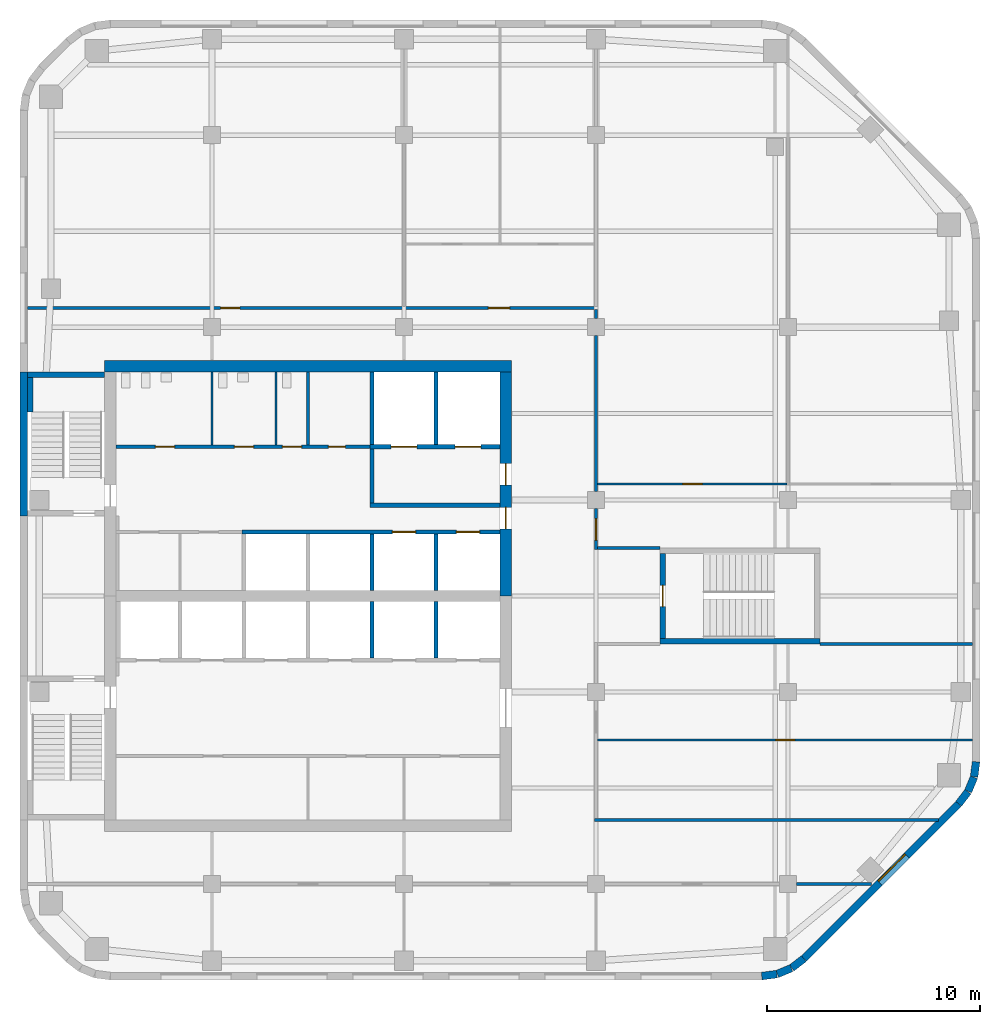
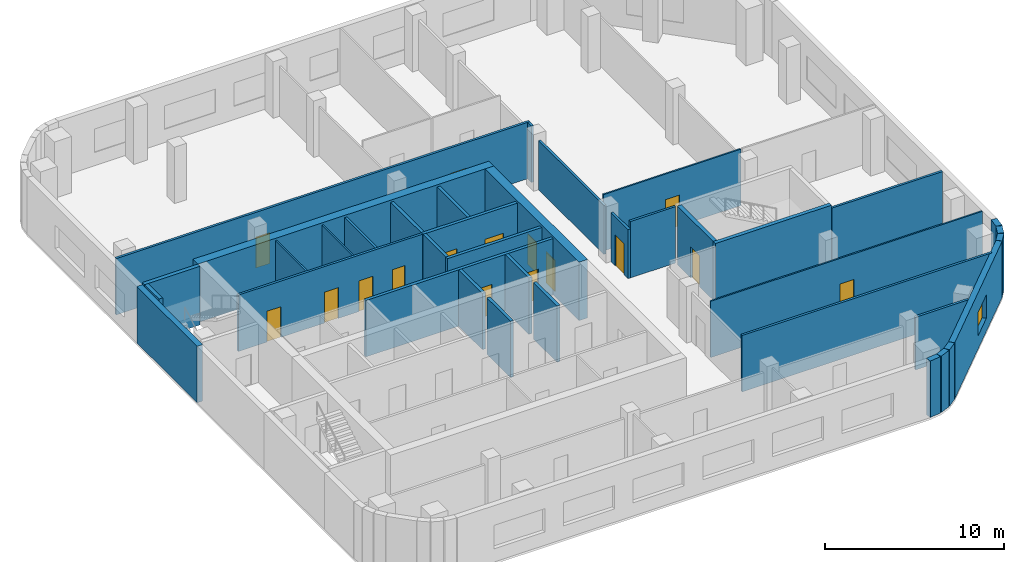
# One storey, part 4 of 8: 38 walls, 16 doors, 1 window, 17 openings.
"""IFC4 building model written with IfcOpenShell, lengths in metres."""

from ifc_helpers import new_model, si_unit, direction, frame, frame_2d, origin, place, context, subcontext, project, spatial, rectangle, extrude, material, layer, layer_set, type_object, element, fill, save


model = new_model("IFC4")

# Units and contexts
model_context = context("Model", 3, precision=1e-05, world=origin(), true_north=direction((0.0, 1.0)))
body_context = subcontext(model_context, "Body", "Model", "MODEL_VIEW")
ifc_project = project(units=[si_unit("LENGTHUNIT", "METRE"), si_unit("AREAUNIT", "SQUARE_METRE"), si_unit("VOLUMEUNIT", "CUBIC_METRE"), si_unit("PLANEANGLEUNIT", "RADIAN"), si_unit("MASSUNIT", "GRAM", prefix="KILO")], contexts=[model_context])

# Site, building, storey
site_placement = place(None, origin())
site = spatial("IfcSite", under=ifc_project, at=site_placement, CompositionType="ELEMENT")
building_placement = place(site_placement, origin())
building = spatial("IfcBuilding", under=site, at=building_placement, Name="Cinnabar Reach Civic Tower", CompositionType="ELEMENT")
storey_placement = place(building_placement, frame((0.0, 0.0, 210.0)))
storey = spatial("IfcBuildingStorey", under=building, at=storey_placement, Name="L50", CompositionType="ELEMENT", Elevation=210.0)

# Walls
ifc_material_1 = material(Name="Facing brick with insulated backing", Category="masonry")
ifc_layer_1 = layer(ifc_material_1, 0.36)
ifc_layer_set_1 = layer_set([ifc_layer_1], Name="Brick corner wall")
wall_type_1 = type_object("IfcWallType", Name="Brick corner wall", PredefinedType="STANDARD", material=ifc_layer_set_1)
for number, where, z_axis, x_axis, name in (
    (1, (34.7686, 13.683, 0.0), (0.0, 0.0, 1.0), (0.99144092581, 0.13055608231, 0.0), "Brick corner wall"),
    (2, (35.4973, 13.7819, 0.0), (0.0, 0.0, 1.0), (0.923871547278, 0.382702709855, 0.0), "Brick corner wall"),
):
    element("IfcWall", number, at=place(storey_placement, frame(where, z_axis=z_axis, x_axis=x_axis)), inside=storey, type_object=wall_type_1, Name=name, PredefinedType="STANDARD", context=body_context, shape_type="SweptSolid", body=[
        extrude(rectangle(XDim=0.7131, YDim=0.36, at=frame_2d((0.3565, 0.0))), origin(), (0.0, 0.0, 1.0), 3.85),
    ])
for number, where, z_axis, x_axis, name in (
    (3, (36.1755, 14.066, 0.0), (0.0, 0.0, 1.0), (0.793321924995, 0.608802368033, 0.0), "Brick corner wall"),
    (4, (43.9998, 21.7587, 0.0), (0.0, 0.0, 1.0), (0.608802368033, 0.793321924995, 0.0), "Brick corner wall"),
):
    element("IfcWall", number, at=place(storey_placement, frame(where, z_axis=z_axis, x_axis=x_axis)), inside=storey, type_object=wall_type_1, Name=name, PredefinedType="STANDARD", context=body_context, shape_type="SweptSolid", body=[
        extrude(rectangle(XDim=0.7132, YDim=0.36, at=frame_2d((0.3566, 0.0))), origin(), (0.0, 0.0, 1.0), 3.85),
    ])
for number, where, z_axis, x_axis, name in (
    (5, (44.4452, 22.3439, 0.0), (0.0, 0.0, 1.0), (0.382702709855, 0.923871547278, 0.0), "Brick corner wall"),
    (6, (44.7239, 23.0244, 0.0), (0.0, 0.0, 1.0), (0.13055608231, 0.99144092581, 0.0), "Brick corner wall"),
):
    element("IfcWall", number, at=place(storey_placement, frame(where, z_axis=z_axis, x_axis=x_axis)), inside=storey, type_object=wall_type_1, Name=name, PredefinedType="STANDARD", context=body_context, shape_type="SweptSolid", body=[
        extrude(rectangle(XDim=0.7131, YDim=0.36, at=frame_2d((0.3565, 0.0))), origin(), (0.0, 0.0, 1.0), 3.85),
    ])

# Wall, opening, window
ifc_layer_2 = layer(ifc_material_1, 0.36)
ifc_layer_set_2 = layer_set([ifc_layer_2], Name="Brick pier and spandrel wall")
wall_type_2 = type_object("IfcWallType", Name="Brick pier and spandrel wall", PredefinedType="STANDARD", material=ifc_layer_set_2)
wall_1_placement = place(storey_placement, frame((36.7514, 14.506, 0.0), z_axis=(0.0, 0.0, 1.0), x_axis=(0.707106781187, 0.707106781187, 0.0)))
wall_1 = element("IfcWall", 7, at=wall_1_placement, inside=storey, type_object=wall_type_2, Name="Brick facade wall", PredefinedType="STANDARD", context=body_context, shape_type="SweptSolid", body=[
    extrude(rectangle(XDim=10.2426, YDim=0.36, at=frame_2d((5.1213, 0.0))), origin(), (0.0, 0.0, 1.0), 3.85),
])
opening_1_placement = place(wall_1_placement, frame((5.0213, 0.0, 0.9)))
opening_1 = element("IfcOpeningElement", 8, at=opening_1_placement, cuts=wall_1, Name="Opening W2026", PredefinedType="OPENING", context=body_context, shape_type="SweptSolid", body=[
    extrude(rectangle(XDim=1.8, YDim=1.6, at=frame_2d((0.9, 0.8))), frame((0.0, 0.19, 0.0), z_axis=(0.0, -1.0, 0.0), x_axis=(1.0, 0.0, 0.0)), (0.0, 0.0, 1.0), 0.38),
])
ifc_material_2 = material(Name="Clear double glazing in aluminium frame", Category="aluminium")
window_type = type_object("IfcWindowType", Name="Deep-set window D", PartitioningType="SINGLE_PANEL", PredefinedType="WINDOW", material=ifc_material_2)
window_placement = place(opening_1_placement, origin())
window = element("IfcWindow", 9, at=window_placement, inside=storey, type_object=window_type, Name="Window southeast face", OverallHeight=1.6, OverallWidth=1.8, PartitioningType="SINGLE_PANEL", PredefinedType="WINDOW", context=body_context, shape_type="SweptSolid", body=[
    extrude(rectangle(XDim=1.8, YDim=1.6, at=frame_2d((0.9, 0.8))), frame((0.0, 0.13, 0.0), z_axis=(0.0, -1.0, 0.0), x_axis=(1.0, 0.0, 0.0)), (0.0, 0.0, 1.0), 0.06),
])
fill(opening_1, window)

# Walls
wall_2_placement = place(storey_placement, frame((0.18, 42.0, 0.0), z_axis=(0.0, 0.0, 1.0), x_axis=(0.0, -1.0, 0.0)))
element("IfcWall", 10, at=wall_2_placement, inside=storey, type_object=wall_type_2, Name="Brick facade wall", PredefinedType="STANDARD", context=body_context, shape_type="SweptSolid", body=[
    extrude(rectangle(XDim=6.75, YDim=0.36, at=frame_2d((3.375, 0.0))), origin(), (0.0, 0.0, 1.0), 3.85),
])
ifc_material_3 = material(Name="Concrete C60", Category="concrete")
ifc_layer_3 = layer(ifc_material_3, 0.55)
ifc_layer_set_3 = layer_set([ifc_layer_3], Name="Core wall 550 EI 180")
wall_type_3 = type_object("IfcWallType", Name="Core wall 550 EI 180", PredefinedType="SOLIDWALL", material=ifc_layer_set_3)
wall_3_placement = place(storey_placement, frame((23.05, 42.275, 0.0), z_axis=(0.0, 0.0, 1.0), x_axis=(-1.0, 0.0, 0.0)))
element("IfcWall", 11, at=wall_3_placement, inside=storey, type_object=wall_type_3, Name="Core wall T1 L50 N", PredefinedType="SOLIDWALL", context=body_context, shape_type="SweptSolid", body=[
    extrude(rectangle(XDim=19.1, YDim=0.55, at=frame_2d((9.55, 0.0))), origin(), (0.0, 0.0, 1.0), 4.0),
])

# Wall, openings, doors
wall_4_placement = place(storey_placement, frame((22.775, 31.5, 0.0), z_axis=(0.0, 0.0, 1.0), x_axis=(0.0, 1.0, 0.0)))
wall_4 = element("IfcWall", 12, at=wall_4_placement, inside=storey, type_object=wall_type_3, Name="Core wall T1 L50 E2", PredefinedType="SOLIDWALL", context=body_context, shape_type="SweptSolid", body=[
    extrude(rectangle(XDim=10.5, YDim=0.55, at=frame_2d((5.25, 0.0))), origin(), (0.0, 0.0, 1.0), 4.0),
])
opening_2_placement = place(wall_4_placement, frame((3.15, 0.0, 0.0)))
opening_2 = element("IfcOpeningElement", 13, at=opening_2_placement, cuts=wall_4, Name="Opening D5047", PredefinedType="OPENING", context=body_context, shape_type="SweptSolid", body=[
    extrude(rectangle(XDim=1.0, YDim=2.1, at=frame_2d((0.5, 1.05))), frame((0.0, 0.285, 0.0), z_axis=(0.0, -1.0, 0.0), x_axis=(1.0, 0.0, 0.0)), (0.0, 0.0, 1.0), 0.57),
])
opening_3_placement = place(wall_4_placement, frame((5.2, 0.0, 0.0)))
opening_3 = element("IfcOpeningElement", 14, at=opening_3_placement, cuts=wall_4, Name="Opening D5048", PredefinedType="OPENING", context=body_context, shape_type="SweptSolid", body=[
    extrude(rectangle(XDim=1.0, YDim=2.1, at=frame_2d((0.5, 1.05))), frame((0.0, 0.285, 0.0), z_axis=(0.0, -1.0, 0.0), x_axis=(1.0, 0.0, 0.0)), (0.0, 0.0, 1.0), 0.57),
])
ifc_material_4 = material(Name="Timber door leaf in steel frame", Category="steel")
door_type_1 = type_object("IfcDoorType", Name="Firefighting lobby door 1000 x 2100 T1", OperationType="SINGLE_SWING_LEFT", PredefinedType="DOOR", material=ifc_material_4)
door_1_placement = place(opening_3_placement, origin())
door_1 = element("IfcDoor", 15, at=door_1_placement, inside=storey, type_object=door_type_1, Name="Door D5048", OperationType="SINGLE_SWING_RIGHT", OverallHeight=2.1, OverallWidth=1.0, PredefinedType="DOOR", context=body_context, shape_type="SweptSolid", body=[
    extrude(rectangle(XDim=1.0, YDim=2.1, at=frame_2d((0.5, 1.05))), frame((0.0, 0.025, 0.0), z_axis=(0.0, -1.0, 0.0), x_axis=(1.0, 0.0, 0.0)), (0.0, 0.0, 1.0), 0.05),
])
fill(opening_3, door_1)
door_type_2 = type_object("IfcDoorType", Name="Single swing door 1000 x 2100 T1", OperationType="SINGLE_SWING_LEFT", PredefinedType="DOOR", material=ifc_material_4)
door_2_placement = place(opening_2_placement, origin())
door_2 = element("IfcDoor", 16, at=door_2_placement, inside=storey, type_object=door_type_2, Name="Door D5047", OperationType="SINGLE_SWING_RIGHT", OverallHeight=2.1, OverallWidth=1.0, PredefinedType="DOOR", context=body_context, shape_type="SweptSolid", body=[
    extrude(rectangle(XDim=1.0, YDim=2.1, at=frame_2d((0.5, 1.05))), frame((0.0, 0.025, 0.0), z_axis=(0.0, -1.0, 0.0), x_axis=(1.0, 0.0, 0.0)), (0.0, 0.0, 1.0), 0.05),
])
fill(opening_2, door_2)

# Wall
ifc_material_5 = material(Name="Gypsum board on steel studs, double layer", Category="steel")
ifc_layer_4 = layer(ifc_material_5, 0.15)
ifc_layer_set_4 = layer_set([ifc_layer_4], Name="Corridor wall 150 T1")
wall_type_4 = type_object("IfcWallType", Name="Corridor wall 150 T1", PredefinedType="PARTITIONING", material=ifc_layer_set_4)
wall_5_placement = place(storey_placement, frame((36.4, 18.0, 0.0), z_axis=(0.0, 0.0, 1.0), x_axis=(1.0, 0.0, 0.0)))
element("IfcWall", 17, at=wall_5_placement, inside=storey, type_object=wall_type_4, Name="Corridor wall 18", PredefinedType="PARTITIONING", context=body_context, shape_type="SweptSolid", body=[
    extrude(rectangle(XDim=3.516, YDim=0.15, at=frame_2d((1.758, 0.0))), origin(), (0.0, 0.0, 1.0), 3.602),
])

# Wall, openings, doors
wall_6_placement = place(storey_placement, frame((0.36, 45.0, 0.0), z_axis=(0.0, 0.0, 1.0), x_axis=(1.0, 0.0, 0.0)))
wall_6 = element("IfcWall", 18, at=wall_6_placement, inside=storey, type_object=wall_type_4, Name="Corridor wall 23", PredefinedType="PARTITIONING", context=body_context, shape_type="SweptSolid", body=[
    extrude(rectangle(XDim=26.715, YDim=0.15, at=frame_2d((13.3575, 0.0))), origin(), (0.0, 0.0, 1.0), 3.85),
])
opening_4_placement = place(wall_6_placement, frame((9.05, 0.0, 0.0)))
opening_4 = element("IfcOpeningElement", 19, at=opening_4_placement, cuts=wall_6, Name="Opening D5067", PredefinedType="OPENING", context=body_context, shape_type="SweptSolid", body=[
    extrude(rectangle(XDim=0.9, YDim=2.1, at=frame_2d((0.45, 1.05))), frame((0.0, 0.085, 0.0), z_axis=(0.0, -1.0, 0.0), x_axis=(1.0, 0.0, 0.0)), (0.0, 0.0, 1.0), 0.17),
])
opening_5_placement = place(wall_6_placement, frame((21.59, 0.0, 0.0)))
opening_5 = element("IfcOpeningElement", 20, at=opening_5_placement, cuts=wall_6, Name="Opening D5068", PredefinedType="OPENING", context=body_context, shape_type="SweptSolid", body=[
    extrude(rectangle(XDim=1.0, YDim=2.1, at=frame_2d((0.5, 1.05))), frame((0.0, 0.085, 0.0), z_axis=(0.0, -1.0, 0.0), x_axis=(1.0, 0.0, 0.0)), (0.0, 0.0, 1.0), 0.17),
])
door_type_3 = type_object("IfcDoorType", Name="Single swing door 900 x 2100 corridor T1", OperationType="SINGLE_SWING_LEFT", PredefinedType="DOOR", material=ifc_material_4)
door_3_placement = place(opening_4_placement, origin())
door_3 = element("IfcDoor", 21, at=door_3_placement, inside=storey, type_object=door_type_3, Name="Door D5067", OperationType="SINGLE_SWING_RIGHT", OverallHeight=2.1, OverallWidth=0.9, PredefinedType="DOOR", context=body_context, shape_type="SweptSolid", body=[
    extrude(rectangle(XDim=0.9, YDim=2.1, at=frame_2d((0.45, 1.05))), frame((0.0, 0.025, 0.0), z_axis=(0.0, -1.0, 0.0), x_axis=(1.0, 0.0, 0.0)), (0.0, 0.0, 1.0), 0.05),
])
fill(opening_4, door_3)
door_type_4 = type_object("IfcDoorType", Name="Tenancy entrance door 1000 x 2100 T1", OperationType="SINGLE_SWING_LEFT", PredefinedType="DOOR", material=ifc_material_4)
door_4_placement = place(opening_5_placement, origin())
door_4 = element("IfcDoor", 22, at=door_4_placement, inside=storey, type_object=door_type_4, Name="Door D5068", OperationType="SINGLE_SWING_RIGHT", OverallHeight=2.1, OverallWidth=1.0, PredefinedType="DOOR", context=body_context, shape_type="SweptSolid", body=[
    extrude(rectangle(XDim=1.0, YDim=2.1, at=frame_2d((0.5, 1.05))), frame((0.0, 0.025, 0.0), z_axis=(0.0, -1.0, 0.0), x_axis=(1.0, 0.0, 0.0)), (0.0, 0.0, 1.0), 0.05),
])
fill(opening_5, door_4)

# Wall
wall_7_placement = place(storey_placement, frame((26.925, 21.0, 0.0), z_axis=(0.0, 0.0, 1.0), x_axis=(1.0, 0.0, 0.0)))
element("IfcWall", 23, at=wall_7_placement, inside=storey, type_object=wall_type_4, Name="Corridor wall 25", PredefinedType="PARTITIONING", context=body_context, shape_type="SweptSolid", body=[
    extrude(rectangle(XDim=16.1409, YDim=0.15, at=frame_2d((8.0704, 0.0))), origin(), (0.0, 0.0, 1.0), 3.85),
])

# Wall, openings, doors
wall_8_placement = place(storey_placement, frame((4.5, 38.5, 0.0), z_axis=(0.0, 0.0, 1.0), x_axis=(1.0, 0.0, 0.0)))
wall_8 = element("IfcWall", 24, at=wall_8_placement, inside=storey, type_object=wall_type_4, Name="Corridor wall 26", PredefinedType="PARTITIONING", context=body_context, shape_type="SweptSolid", body=[
    extrude(rectangle(XDim=11.9, YDim=0.15, at=frame_2d((5.95, 0.0))), origin(), (0.0, 0.0, 1.0), 3.85),
])
opening_6_placement = place(wall_8_placement, frame((1.85, 0.0, 0.0)))
opening_6 = element("IfcOpeningElement", 25, at=opening_6_placement, cuts=wall_8, Name="Opening D5055", PredefinedType="OPENING", context=body_context, shape_type="SweptSolid", body=[
    extrude(rectangle(XDim=0.9, YDim=2.1, at=frame_2d((0.45, 1.05))), frame((0.0, 0.085, 0.0), z_axis=(0.0, -1.0, 0.0), x_axis=(1.0, 0.0, 0.0)), (0.0, 0.0, 1.0), 0.17),
])
opening_7_placement = place(wall_8_placement, frame((5.55, 0.0, 0.0)))
opening_7 = element("IfcOpeningElement", 26, at=opening_7_placement, cuts=wall_8, Name="Opening D5056", PredefinedType="OPENING", context=body_context, shape_type="SweptSolid", body=[
    extrude(rectangle(XDim=0.9, YDim=2.1, at=frame_2d((0.45, 1.05))), frame((0.0, 0.085, 0.0), z_axis=(0.0, -1.0, 0.0), x_axis=(1.0, 0.0, 0.0)), (0.0, 0.0, 1.0), 0.17),
])
opening_8_placement = place(wall_8_placement, frame((7.8, 0.0, 0.0)))
opening_8 = element("IfcOpeningElement", 27, at=opening_8_placement, cuts=wall_8, Name="Opening D5057", PredefinedType="OPENING", context=body_context, shape_type="SweptSolid", body=[
    extrude(rectangle(XDim=0.9, YDim=2.1, at=frame_2d((0.45, 1.05))), frame((0.0, 0.085, 0.0), z_axis=(0.0, -1.0, 0.0), x_axis=(1.0, 0.0, 0.0)), (0.0, 0.0, 1.0), 0.17),
])
opening_9_placement = place(wall_8_placement, frame((9.95, 0.0, 0.0)))
opening_9 = element("IfcOpeningElement", 28, at=opening_9_placement, cuts=wall_8, Name="Opening D5058", PredefinedType="OPENING", context=body_context, shape_type="SweptSolid", body=[
    extrude(rectangle(XDim=0.8, YDim=2.1, at=frame_2d((0.4, 1.05))), frame((0.0, 0.085, 0.0), z_axis=(0.0, -1.0, 0.0), x_axis=(1.0, 0.0, 0.0)), (0.0, 0.0, 1.0), 0.17),
])
door_type_5 = type_object("IfcDoorType", Name="Riser access door 800 x 2100 T1", OperationType="SINGLE_SWING_LEFT", PredefinedType="DOOR", material=ifc_material_4)
door_5_placement = place(opening_9_placement, origin())
door_5 = element("IfcDoor", 29, at=door_5_placement, inside=storey, type_object=door_type_5, Name="Door D5058", OperationType="SINGLE_SWING_LEFT", OverallHeight=2.1, OverallWidth=0.8, PredefinedType="DOOR", context=body_context, shape_type="SweptSolid", body=[
    extrude(rectangle(XDim=0.8, YDim=2.1, at=frame_2d((0.4, 1.05))), frame((0.0, 0.025, 0.0), z_axis=(0.0, -1.0, 0.0), x_axis=(1.0, 0.0, 0.0)), (0.0, 0.0, 1.0), 0.05),
])
fill(opening_9, door_5)
door_6_placement = place(opening_6_placement, origin())
door_6 = element("IfcDoor", 30, at=door_6_placement, inside=storey, type_object=door_type_3, Name="Door D5055", OperationType="SINGLE_SWING_LEFT", OverallHeight=2.1, OverallWidth=0.9, PredefinedType="DOOR", context=body_context, shape_type="SweptSolid", body=[
    extrude(rectangle(XDim=0.9, YDim=2.1, at=frame_2d((0.45, 1.05))), frame((0.0, 0.025, 0.0), z_axis=(0.0, -1.0, 0.0), x_axis=(1.0, 0.0, 0.0)), (0.0, 0.0, 1.0), 0.05),
])
fill(opening_6, door_6)
door_7_placement = place(opening_7_placement, origin())
door_7 = element("IfcDoor", 31, at=door_7_placement, inside=storey, type_object=door_type_3, Name="Door D5056", OperationType="SINGLE_SWING_RIGHT", OverallHeight=2.1, OverallWidth=0.9, PredefinedType="DOOR", context=body_context, shape_type="SweptSolid", body=[
    extrude(rectangle(XDim=0.9, YDim=2.1, at=frame_2d((0.45, 1.05))), frame((0.0, 0.025, 0.0), z_axis=(0.0, -1.0, 0.0), x_axis=(1.0, 0.0, 0.0)), (0.0, 0.0, 1.0), 0.05),
])
fill(opening_7, door_7)
door_8_placement = place(opening_8_placement, origin())
door_8 = element("IfcDoor", 32, at=door_8_placement, inside=storey, type_object=door_type_3, Name="Door D5057", OperationType="SINGLE_SWING_RIGHT", OverallHeight=2.1, OverallWidth=0.9, PredefinedType="DOOR", context=body_context, shape_type="SweptSolid", body=[
    extrude(rectangle(XDim=0.9, YDim=2.1, at=frame_2d((0.45, 1.05))), frame((0.0, 0.025, 0.0), z_axis=(0.0, -1.0, 0.0), x_axis=(1.0, 0.0, 0.0)), (0.0, 0.0, 1.0), 0.05),
])
fill(opening_8, door_8)

# Wall, opening, door
wall_9_placement = place(storey_placement, frame((27.0, 33.675, 0.0), z_axis=(0.0, 0.0, 1.0), x_axis=(0.0, 1.0, 0.0)))
wall_9 = element("IfcWall", 33, at=wall_9_placement, inside=storey, type_object=wall_type_4, Name="Corridor wall 27", PredefinedType="PARTITIONING", context=body_context, shape_type="SweptSolid", body=[
    extrude(rectangle(XDim=1.925, YDim=0.15, at=frame_2d((0.9625, 0.0))), origin(), (0.0, 0.0, 1.0), 3.35),
])
opening_10_placement = place(wall_9_placement, frame((0.45, 0.0, 0.0)))
opening_10 = element("IfcOpeningElement", 34, at=opening_10_placement, cuts=wall_9, Name="Opening D5059", PredefinedType="OPENING", context=body_context, shape_type="SweptSolid", body=[
    extrude(rectangle(XDim=1.0, YDim=2.1, at=frame_2d((0.5, 1.05))), frame((0.0, 0.085, 0.0), z_axis=(0.0, -1.0, 0.0), x_axis=(1.0, 0.0, 0.0)), (0.0, 0.0, 1.0), 0.17),
])
door_9_placement = place(opening_10_placement, frame((1.0, 0.0, 0.0), z_axis=(0.0, 0.0, 1.0), x_axis=(-1.0, 0.0, 0.0)))
door_9 = element("IfcDoor", 35, at=door_9_placement, inside=storey, type_object=door_type_4, Name="Door D5059", OperationType="SINGLE_SWING_RIGHT", OverallHeight=2.1, OverallWidth=1.0, PredefinedType="DOOR", context=body_context, shape_type="SweptSolid", body=[
    extrude(rectangle(XDim=1.0, YDim=2.1, at=frame_2d((0.5, 1.05))), frame((0.0, 0.025, 0.0), z_axis=(0.0, -1.0, 0.0), x_axis=(1.0, 0.0, 0.0)), (0.0, 0.0, 1.0), 0.05),
])
fill(opening_10, door_9)

# Walls
wall_10_placement = place(storey_placement, frame((27.0, 36.4, 0.0), z_axis=(0.0, 0.0, 1.0), x_axis=(0.0, 1.0, 0.0)))
element("IfcWall", 36, at=wall_10_placement, inside=storey, type_object=wall_type_4, Name="Corridor wall 28", PredefinedType="PARTITIONING", context=body_context, shape_type="SweptSolid", body=[
    extrude(rectangle(XDim=7.3, YDim=0.15, at=frame_2d((3.65, 0.0))), origin(), (0.0, 0.0, 1.0), 3.35),
])
wall_11_placement = place(storey_placement, frame((27.0, 44.5, 0.0), z_axis=(0.0, 0.0, 1.0), x_axis=(0.0, 1.0, 0.0)))
element("IfcWall", 37, at=wall_11_placement, inside=storey, type_object=wall_type_4, Name="Corridor wall 29", PredefinedType="PARTITIONING", context=body_context, shape_type="SweptSolid", body=[
    extrude(rectangle(XDim=0.425, YDim=0.15, at=frame_2d((0.2125, 0.0))), origin(), (0.0, 0.0, 1.0), 3.85),
])
wall_12_placement = place(storey_placement, frame((27.075, 33.75, 0.0), z_axis=(0.0, 0.0, 1.0), x_axis=(1.0, 0.0, 0.0)))
element("IfcWall", 38, at=wall_12_placement, inside=storey, type_object=wall_type_4, Name="Corridor wall 36", PredefinedType="PARTITIONING", context=body_context, shape_type="SweptSolid", body=[
    extrude(rectangle(XDim=2.925, YDim=0.15, at=frame_2d((1.4625, 0.0))), origin(), (0.0, 0.0, 1.0), 3.85),
])

# Wall, openings, doors
ifc_material_6 = material(Name="Blockwork", Category="masonry")
ifc_layer_5 = layer(ifc_material_6, 0.2)
ifc_layer_set_5 = layer_set([ifc_layer_5], Name="Lift shaft wall 200 T1")
wall_type_5 = type_object("IfcWallType", Name="Lift shaft wall 200 T1", PredefinedType="PARTITIONING", material=ifc_layer_set_5)
wall_13_placement = place(storey_placement, frame((10.4, 34.5, 0.0), z_axis=(0.0, 0.0, 1.0), x_axis=(1.0, 0.0, 0.0)))
wall_13 = element("IfcWall", 39, at=wall_13_placement, inside=storey, type_object=wall_type_5, Name="Lift shaft wall 5", PredefinedType="PARTITIONING", context=body_context, shape_type="SweptSolid", body=[
    extrude(rectangle(XDim=12.1, YDim=0.2, at=frame_2d((6.05, 0.0))), origin(), (0.0, 0.0, 1.0), 3.85),
])
opening_11_placement = place(wall_13_placement, frame((7.05, 0.0, 0.0)))
opening_11 = element("IfcOpeningElement", 40, at=opening_11_placement, cuts=wall_13, Name="Opening D5042", PredefinedType="OPENING", context=body_context, shape_type="SweptSolid", body=[
    extrude(rectangle(XDim=1.1, YDim=2.1, at=frame_2d((0.55, 1.05))), frame((0.0, 0.11, 0.0), z_axis=(0.0, -1.0, 0.0), x_axis=(1.0, 0.0, 0.0)), (0.0, 0.0, 1.0), 0.22),
])
opening_12_placement = place(wall_13_placement, frame((10.05, 0.0, 0.0)))
opening_12 = element("IfcOpeningElement", 41, at=opening_12_placement, cuts=wall_13, Name="Opening D5043", PredefinedType="OPENING", context=body_context, shape_type="SweptSolid", body=[
    extrude(rectangle(XDim=1.1, YDim=2.1, at=frame_2d((0.55, 1.05))), frame((0.0, 0.11, 0.0), z_axis=(0.0, -1.0, 0.0), x_axis=(1.0, 0.0, 0.0)), (0.0, 0.0, 1.0), 0.22),
])
ifc_material_7 = material(Name="Stainless steel sliding door", Category="steel")
door_type_6 = type_object("IfcDoorType", Name="Lift landing door 1100 x 2100 T1", OperationType="SLIDING_TO_LEFT", PredefinedType="DOOR", material=ifc_material_7)
door_10_placement = place(opening_11_placement, origin())
door_10 = element("IfcDoor", 42, at=door_10_placement, inside=storey, type_object=door_type_6, Name="Lift landing door SV1 L50", OperationType="SLIDING_TO_LEFT", OverallHeight=2.1, OverallWidth=1.1, PredefinedType="DOOR", context=body_context, shape_type="SweptSolid", body=[
    extrude(rectangle(XDim=1.1, YDim=2.1, at=frame_2d((0.55, 1.05))), frame((0.0, 0.025, 0.0), z_axis=(0.0, -1.0, 0.0), x_axis=(1.0, 0.0, 0.0)), (0.0, 0.0, 1.0), 0.05),
])
fill(opening_11, door_10)
door_11_placement = place(opening_12_placement, origin())
door_11 = element("IfcDoor", 43, at=door_11_placement, inside=storey, type_object=door_type_6, Name="Lift landing door SV2 L50", OperationType="SLIDING_TO_LEFT", OverallHeight=2.1, OverallWidth=1.1, PredefinedType="DOOR", context=body_context, shape_type="SweptSolid", body=[
    extrude(rectangle(XDim=1.1, YDim=2.1, at=frame_2d((0.55, 1.05))), frame((0.0, 0.025, 0.0), z_axis=(0.0, -1.0, 0.0), x_axis=(1.0, 0.0, 0.0)), (0.0, 0.0, 1.0), 0.05),
])
fill(opening_12, door_11)

# Walls
for number, where, z_axis, x_axis, name in (
    (44, (16.5, 28.6, 0.0), (0.0, 0.0, 1.0), (0.0, 1.0, 0.0), "Lift shaft wall 10"),
    (45, (16.5, 31.75, 0.0), (0.0, 0.0, 1.0), (0.0, 1.0, 0.0), "Lift shaft wall 11"),
    (46, (19.5, 28.6, 0.0), (0.0, 0.0, 1.0), (0.0, 1.0, 0.0), "Lift shaft wall 12"),
    (47, (19.5, 31.75, 0.0), (0.0, 0.0, 1.0), (0.0, 1.0, 0.0), "Lift shaft wall 13"),
):
    element("IfcWall", number, at=place(storey_placement, frame(where, z_axis=z_axis, x_axis=x_axis)), inside=storey, type_object=wall_type_5, Name=name, PredefinedType="PARTITIONING", context=body_context, shape_type="SweptSolid", body=[
        extrude(rectangle(XDim=2.65, YDim=0.2, at=frame_2d((1.325, 0.0))), origin(), (0.0, 0.0, 1.0), 3.85),
    ])
for number, where, z_axis, x_axis, name in (
    (48, (16.5, 38.6, 0.0), (0.0, 0.0, 1.0), (0.0, 1.0, 0.0), "Lift shaft wall 14"),
    (49, (19.5, 38.6, 0.0), (0.0, 0.0, 1.0), (0.0, 1.0, 0.0), "Lift shaft wall 15"),
):
    element("IfcWall", number, at=place(storey_placement, frame(where, z_axis=z_axis, x_axis=x_axis)), inside=storey, type_object=wall_type_5, Name=name, PredefinedType="PARTITIONING", context=body_context, shape_type="SweptSolid", body=[
        extrude(rectangle(XDim=3.4, YDim=0.2, at=frame_2d((1.7, 0.0))), origin(), (0.0, 0.0, 1.0), 3.85),
    ])

# Wall, opening, door
ifc_material_8 = material(Name="Gypsum board on steel studs", Category="steel")
ifc_layer_6 = layer(ifc_material_8, 0.1)
ifc_layer_set_6 = layer_set([ifc_layer_6], Name="Partition wall 100 T1")
wall_type_6 = type_object("IfcWallType", Name="Partition wall 100 T1", PredefinedType="PARTITIONING", material=ifc_layer_set_6)
wall_14_placement = place(storey_placement, frame((27.075, 24.75, 0.0), z_axis=(0.0, 0.0, 1.0), x_axis=(1.0, 0.0, 0.0)))
wall_14 = element("IfcWall", 50, at=wall_14_placement, inside=storey, type_object=wall_type_6, Name="Partition wall 44", PredefinedType="PARTITIONING", context=body_context, shape_type="SweptSolid", body=[
    extrude(rectangle(XDim=17.565, YDim=0.1, at=frame_2d((8.7825, 0.0))), origin(), (0.0, 0.0, 1.0), 3.85),
])
opening_13_placement = place(wall_14_placement, frame((8.35, 0.0, 0.0)))
opening_13 = element("IfcOpeningElement", 51, at=opening_13_placement, cuts=wall_14, Name="Opening D5063", PredefinedType="OPENING", context=body_context, shape_type="SweptSolid", body=[
    extrude(rectangle(XDim=0.9, YDim=2.1, at=frame_2d((0.45, 1.05))), frame((0.0, 0.06, 0.0), z_axis=(0.0, -1.0, 0.0), x_axis=(1.0, 0.0, 0.0)), (0.0, 0.0, 1.0), 0.12),
])
door_type_7 = type_object("IfcDoorType", Name="Single swing door 900 x 2100 T1", OperationType="SINGLE_SWING_LEFT", PredefinedType="DOOR", material=ifc_material_4)
door_12_placement = place(opening_13_placement, frame((0.9, 0.0, 0.0), z_axis=(0.0, 0.0, 1.0), x_axis=(-1.0, 0.0, 0.0)))
door_12 = element("IfcDoor", 52, at=door_12_placement, inside=storey, type_object=door_type_7, Name="Door D5063", OperationType="SINGLE_SWING_RIGHT", OverallHeight=2.1, OverallWidth=0.9, PredefinedType="DOOR", context=body_context, shape_type="SweptSolid", body=[
    extrude(rectangle(XDim=0.9, YDim=2.1, at=frame_2d((0.45, 1.05))), frame((0.0, 0.025, 0.0), z_axis=(0.0, -1.0, 0.0), x_axis=(1.0, 0.0, 0.0)), (0.0, 0.0, 1.0), 0.05),
])
fill(opening_13, door_12)

wall_15_placement = place(storey_placement, frame((27.075, 36.75, 0.0), z_axis=(0.0, 0.0, 1.0), x_axis=(1.0, 0.0, 0.0)))
wall_15 = element("IfcWall", 53, at=wall_15_placement, inside=storey, type_object=wall_type_6, Name="Partition wall 45", PredefinedType="PARTITIONING", context=body_context, shape_type="SweptSolid", body=[
    extrude(rectangle(XDim=8.875, YDim=0.1, at=frame_2d((4.4375, 0.0))), origin(), (0.0, 0.0, 1.0), 3.85),
])
opening_14_placement = place(wall_15_placement, frame((4.0, 0.0, 0.0)))
opening_14 = element("IfcOpeningElement", 54, at=opening_14_placement, cuts=wall_15, Name="Opening D5060", PredefinedType="OPENING", context=body_context, shape_type="SweptSolid", body=[
    extrude(rectangle(XDim=0.9, YDim=2.1, at=frame_2d((0.45, 1.05))), frame((0.0, 0.06, 0.0), z_axis=(0.0, -1.0, 0.0), x_axis=(1.0, 0.0, 0.0)), (0.0, 0.0, 1.0), 0.12),
])
door_13_placement = place(opening_14_placement, frame((0.9, 0.0, 0.0), z_axis=(0.0, 0.0, 1.0), x_axis=(-1.0, 0.0, 0.0)))
door_13 = element("IfcDoor", 55, at=door_13_placement, inside=storey, type_object=door_type_7, Name="Door D5060", OperationType="SINGLE_SWING_RIGHT", OverallHeight=2.1, OverallWidth=0.9, PredefinedType="DOOR", context=body_context, shape_type="SweptSolid", body=[
    extrude(rectangle(XDim=0.9, YDim=2.1, at=frame_2d((0.45, 1.05))), frame((0.0, 0.025, 0.0), z_axis=(0.0, -1.0, 0.0), x_axis=(1.0, 0.0, 0.0)), (0.0, 0.0, 1.0), 0.05),
])
fill(opening_14, door_13)

# Walls
for number, where, z_axis, x_axis, name in (
    (56, (9.0, 38.575, 0.0), (0.0, 0.0, 1.0), (0.0, 1.0, 0.0), "Partition wall 54"),
    (57, (12.0, 38.575, 0.0), (0.0, 0.0, 1.0), (0.0, 1.0, 0.0), "Partition wall 55"),
):
    element("IfcWall", number, at=place(storey_placement, frame(where, z_axis=z_axis, x_axis=x_axis)), inside=storey, type_object=wall_type_6, Name=name, PredefinedType="PARTITIONING", context=body_context, shape_type="SweptSolid", body=[
        extrude(rectangle(XDim=3.425, YDim=0.1, at=frame_2d((1.7125, 0.0))), origin(), (0.0, 0.0, 1.0), 3.85),
    ])
ifc_material_9 = material(Name="Concrete C40", Category="concrete")
ifc_layer_7 = layer(ifc_material_9, 0.2)
ifc_layer_set_7 = layer_set([ifc_layer_7], Name="Refuge compartment wall 200 T1")
wall_type_7 = type_object("IfcWallType", Name="Refuge compartment wall 200 T1", PredefinedType="PARTITIONING", material=ifc_layer_set_7)
wall_16_placement = place(storey_placement, frame((16.4, 35.75, 0.0), z_axis=(0.0, 0.0, 1.0), x_axis=(1.0, 0.0, 0.0)))
element("IfcWall", 58, at=wall_16_placement, inside=storey, type_object=wall_type_7, Name="Refuge compartment wall 1", PredefinedType="PARTITIONING", context=body_context, shape_type="SweptSolid", body=[
    extrude(rectangle(XDim=6.1, YDim=0.2, at=frame_2d((3.05, 0.0))), origin(), (0.0, 0.0, 1.0), 3.85),
])

# Wall, openings, doors
wall_17_placement = place(storey_placement, frame((16.4, 38.5, 0.0), z_axis=(0.0, 0.0, 1.0), x_axis=(1.0, 0.0, 0.0)))
wall_17 = element("IfcWall", 59, at=wall_17_placement, inside=storey, type_object=wall_type_7, Name="Refuge compartment wall 2", PredefinedType="PARTITIONING", context=body_context, shape_type="SweptSolid", body=[
    extrude(rectangle(XDim=6.1, YDim=0.2, at=frame_2d((3.05, 0.0))), origin(), (0.0, 0.0, 1.0), 3.85),
])
opening_15_placement = place(wall_17_placement, frame((1.0, 0.0, 0.0)))
opening_15 = element("IfcOpeningElement", 60, at=opening_15_placement, cuts=wall_17, Name="Opening D5044", PredefinedType="OPENING", context=body_context, shape_type="SweptSolid", body=[
    extrude(rectangle(XDim=1.2, YDim=2.1, at=frame_2d((0.6, 1.05))), frame((0.0, 0.11, 0.0), z_axis=(0.0, -1.0, 0.0), x_axis=(1.0, 0.0, 0.0)), (0.0, 0.0, 1.0), 0.22),
])
opening_16_placement = place(wall_17_placement, frame((4.0, 0.0, 0.0)))
opening_16 = element("IfcOpeningElement", 61, at=opening_16_placement, cuts=wall_17, Name="Opening D5045", PredefinedType="OPENING", context=body_context, shape_type="SweptSolid", body=[
    extrude(rectangle(XDim=1.2, YDim=2.1, at=frame_2d((0.6, 1.05))), frame((0.0, 0.11, 0.0), z_axis=(0.0, -1.0, 0.0), x_axis=(1.0, 0.0, 0.0)), (0.0, 0.0, 1.0), 0.22),
])
door_type_8 = type_object("IfcDoorType", Name="Firefighting lift landing door 1200 x 2100 T1", OperationType="SLIDING_TO_LEFT", PredefinedType="DOOR", material=ifc_material_7)
door_14_placement = place(opening_15_placement, origin())
door_14 = element("IfcDoor", 62, at=door_14_placement, inside=storey, type_object=door_type_8, Name="Lift landing door FF1 L50", OperationType="SLIDING_TO_LEFT", OverallHeight=2.1, OverallWidth=1.2, PredefinedType="DOOR", context=body_context, shape_type="SweptSolid", body=[
    extrude(rectangle(XDim=1.2, YDim=2.1, at=frame_2d((0.6, 1.05))), frame((0.0, 0.025, 0.0), z_axis=(0.0, -1.0, 0.0), x_axis=(1.0, 0.0, 0.0)), (0.0, 0.0, 1.0), 0.05),
])
fill(opening_15, door_14)
door_15_placement = place(opening_16_placement, origin())
door_15 = element("IfcDoor", 63, at=door_15_placement, inside=storey, type_object=door_type_8, Name="Lift landing door FF2 L50", OperationType="SLIDING_TO_LEFT", OverallHeight=2.1, OverallWidth=1.2, PredefinedType="DOOR", context=body_context, shape_type="SweptSolid", body=[
    extrude(rectangle(XDim=1.2, YDim=2.1, at=frame_2d((0.6, 1.05))), frame((0.0, 0.025, 0.0), z_axis=(0.0, -1.0, 0.0), x_axis=(1.0, 0.0, 0.0)), (0.0, 0.0, 1.0), 0.05),
])
fill(opening_16, door_15)

# Walls
wall_18_placement = place(storey_placement, frame((16.5, 35.85, 0.0), z_axis=(0.0, 0.0, 1.0), x_axis=(0.0, 1.0, 0.0)))
element("IfcWall", 64, at=wall_18_placement, inside=storey, type_object=wall_type_7, Name="Refuge compartment wall 3", PredefinedType="PARTITIONING", context=body_context, shape_type="SweptSolid", body=[
    extrude(rectangle(XDim=2.55, YDim=0.2, at=frame_2d((1.275, 0.0))), origin(), (0.0, 0.0, 1.0), 3.85),
])
ifc_layer_8 = layer(ifc_material_6, 0.15)
ifc_layer_set_8 = layer_set([ifc_layer_8], Name="Riser wall 150 T1")
wall_type_8 = type_object("IfcWallType", Name="Riser wall 150 T1", PredefinedType="PARTITIONING", material=ifc_layer_set_8)
wall_19_placement = place(storey_placement, frame((13.5, 38.575, 0.0), z_axis=(0.0, 0.0, 1.0), x_axis=(0.0, 1.0, 0.0)))
element("IfcWall", 65, at=wall_19_placement, inside=storey, type_object=wall_type_8, Name="Riser wall 38", PredefinedType="PARTITIONING", context=body_context, shape_type="SweptSolid", body=[
    extrude(rectangle(XDim=3.425, YDim=0.15, at=frame_2d((1.7125, 0.0))), origin(), (0.0, 0.0, 1.0), 3.85),
])
ifc_layer_9 = layer(ifc_material_3, 0.25)
ifc_layer_set_9 = layer_set([ifc_layer_9], Name="Stair shaft wall 250 EI 120")
wall_type_9 = type_object("IfcWallType", Name="Stair shaft wall 250 EI 120", PredefinedType="SOLIDWALL", material=ifc_layer_set_9)
wall_20_placement = place(storey_placement, frame((3.95, 41.875, 0.0), z_axis=(0.0, 0.0, 1.0), x_axis=(-1.0, 0.0, 0.0)))
element("IfcWall", 66, at=wall_20_placement, inside=storey, type_object=wall_type_9, Name="Stair shaft wall T1-S2 L50", PredefinedType="SOLIDWALL", context=body_context, shape_type="SweptSolid", body=[
    extrude(rectangle(XDim=3.59, YDim=0.25, at=frame_2d((1.795, 0.0))), origin(), (0.0, 0.0, 1.0), 4.0),
])
wall_21_placement = place(storey_placement, frame((30.0, 29.375, 0.0), z_axis=(0.0, 0.0, 1.0), x_axis=(1.0, 0.0, 0.0)))
element("IfcWall", 67, at=wall_21_placement, inside=storey, type_object=wall_type_9, Name="Stair shaft wall T1-S3 L50", PredefinedType="SOLIDWALL", context=body_context, shape_type="SweptSolid", body=[
    extrude(rectangle(XDim=7.5, YDim=0.25, at=frame_2d((3.75, 0.0))), origin(), (0.0, 0.0, 1.0), 4.0),
])

# Wall, opening, door
wall_22_placement = place(storey_placement, frame((30.125, 33.5, 0.0), z_axis=(0.0, 0.0, 1.0), x_axis=(0.0, -1.0, 0.0)))
wall_22 = element("IfcWall", 68, at=wall_22_placement, inside=storey, type_object=wall_type_9, Name="Stair shaft wall T1-S3 L50", PredefinedType="SOLIDWALL", context=body_context, shape_type="SweptSolid", body=[
    extrude(rectangle(XDim=4.0, YDim=0.25, at=frame_2d((2.0, 0.0))), origin(), (0.0, 0.0, 1.0), 4.0),
])
opening_17_placement = place(wall_22_placement, frame((1.5, 0.0, 0.0)))
opening_17 = element("IfcOpeningElement", 69, at=opening_17_placement, cuts=wall_22, Name="Opening D5049", PredefinedType="OPENING", context=body_context, shape_type="SweptSolid", body=[
    extrude(rectangle(XDim=1.0, YDim=2.1, at=frame_2d((0.5, 1.05))), frame((0.0, 0.135, 0.0), z_axis=(0.0, -1.0, 0.0), x_axis=(1.0, 0.0, 0.0)), (0.0, 0.0, 1.0), 0.27),
])
door_type_9 = type_object("IfcDoorType", Name="Stair door 1000 x 2100 T1", OperationType="SINGLE_SWING_LEFT", PredefinedType="DOOR", material=ifc_material_4)
door_16_placement = place(opening_17_placement, origin())
door_16 = element("IfcDoor", 70, at=door_16_placement, inside=storey, type_object=door_type_9, Name="Door D5049", OperationType="SINGLE_SWING_LEFT", OverallHeight=2.1, OverallWidth=1.0, PredefinedType="DOOR", context=body_context, shape_type="SweptSolid", body=[
    extrude(rectangle(XDim=1.0, YDim=2.1, at=frame_2d((0.5, 1.05))), frame((0.0, 0.025, 0.0), z_axis=(0.0, -1.0, 0.0), x_axis=(1.0, 0.0, 0.0)), (0.0, 0.0, 1.0), 0.05),
])
fill(opening_17, door_16)

# Walls
ifc_material_10 = material(Name="Concrete C40/50", Category="concrete")
ifc_layer_10 = layer(ifc_material_10, 0.24)
ifc_layer_set_10 = layer_set([ifc_layer_10], Name="T1 landing bearer wall 240")
wall_type_10 = type_object("IfcWallType", Name="T1 landing bearer wall 240", PredefinedType="STANDARD", material=ifc_layer_set_10)
wall_23_placement = place(storey_placement, frame((0.48, 40.13, 0.0), z_axis=(0.0, 0.0, 1.0), x_axis=(0.0, 1.0, 0.0)))
element("IfcWall", 71, at=wall_23_placement, inside=storey, type_object=wall_type_10, Name="T1-S2 landing bearer wall", PredefinedType="STANDARD", context=body_context, shape_type="SweptSolid", body=[
    extrude(rectangle(XDim=1.62, YDim=0.24, at=frame_2d((0.81, 0.0))), origin(), (0.0, 0.0, 1.0), 4.0),
])
ifc_layer_11 = layer(ifc_material_5, 0.15)
ifc_layer_set_11 = layer_set([ifc_layer_11], Name="Tenancy separating wall 150 T1")
wall_type_11 = type_object("IfcWallType", Name="Tenancy separating wall 150 T1", PredefinedType="PARTITIONING", material=ifc_layer_set_11)
wall_24_placement = place(storey_placement, frame((37.5, 29.25, 0.0), z_axis=(0.0, 0.0, 1.0), x_axis=(1.0, 0.0, 0.0)))
element("IfcWall", 72, at=wall_24_placement, inside=storey, type_object=wall_type_11, Name="Tenancy separating wall 41", PredefinedType="PARTITIONING", context=body_context, shape_type="SweptSolid", body=[
    extrude(rectangle(XDim=7.14, YDim=0.15, at=frame_2d((3.57, 0.0))), origin(), (0.0, 0.0, 1.0), 3.85),
])

save(model, "model.ifc")
